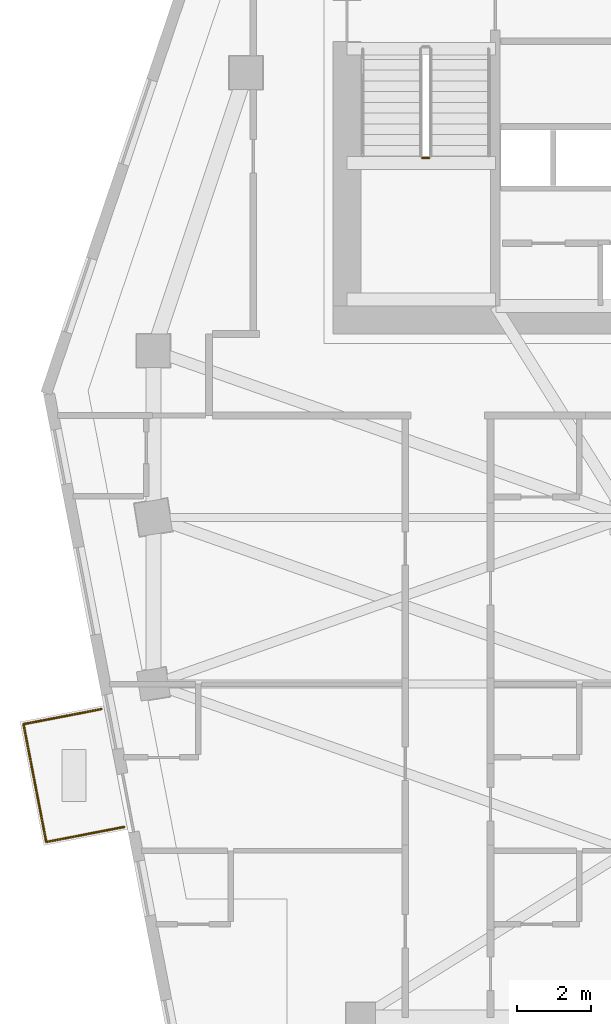
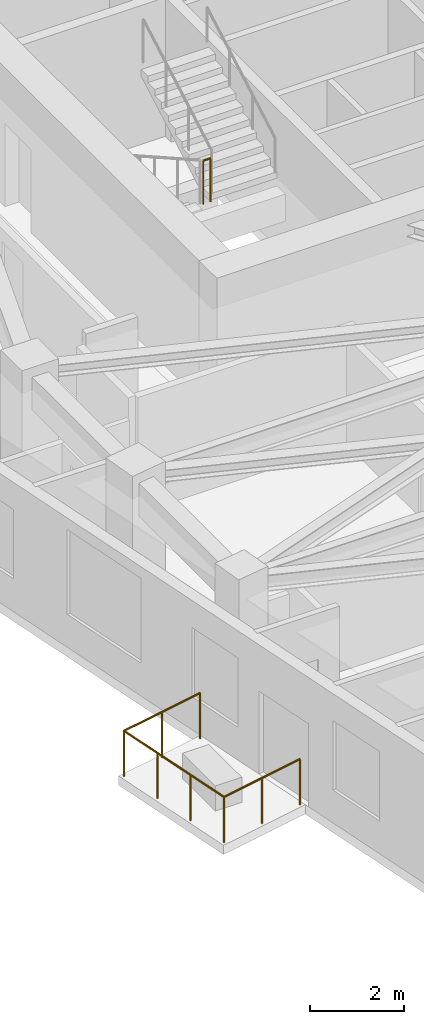
# One storey, part 10 of 12: 4 railings.
"""IFC4 building model written with IfcOpenShell, lengths in metres."""

from ifc_helpers import new_model, si_unit, direction, frame, origin, origin_2d, place, context, subcontext, project, spatial, circle, extrude, material, type_object, element, save


model = new_model("IFC4")

# Units and contexts
model_context = context("Model", 3, precision=1e-05, world=origin(), true_north=direction((0.0, 1.0)))
body_context = subcontext(model_context, "Body", "Model", "MODEL_VIEW")
ifc_project = project(units=[si_unit("LENGTHUNIT", "METRE"), si_unit("AREAUNIT", "SQUARE_METRE"), si_unit("VOLUMEUNIT", "CUBIC_METRE"), si_unit("PLANEANGLEUNIT", "RADIAN"), si_unit("MASSUNIT", "GRAM", prefix="KILO")], contexts=[model_context])

# Site, building, storey
site_placement = place(None, origin())
site = spatial("IfcSite", under=ifc_project, at=site_placement, CompositionType="ELEMENT")
building_placement = place(site_placement, origin())
building = spatial("IfcBuilding", under=site, at=building_placement, Name="Calvemar Wedge Station Tower", CompositionType="ELEMENT")
storey_placement = place(building_placement, frame((0.0, 0.0, 121.39990234375)))
storey = spatial("IfcBuildingStorey", under=building, at=storey_placement, Name="L29", CompositionType="ELEMENT", Elevation=121.39990234375)

# Railings
ifc_material_1 = material(Name="Stainless steel AISI 316L", Category="steel")
railing_type_1 = type_object("IfcRailingType", Name="GRD-TERR-1200", PredefinedType="GUARDRAIL", material=ifc_material_1)
railing_1_placement = place(storey_placement, frame((10.209228515625, 20.144287109375, 0.0)))
element("IfcRailing", 1, at=railing_1_placement, inside=storey, type_object=railing_type_1, Name="Storey L29 Spiral Terrace Guard 2", PredefinedType="GUARDRAIL", context=body_context, shape_type="SweptSolid", body=[
    extrude(circle(Radius=0.02392578125, at=origin_2d()), frame((0.0, 0.0, 1.17578125), z_axis=(-0.981875176811, -0.189528723845, 0.0), x_axis=(0.189528723845, -0.981875176811, 0.0)), (0.0, 0.0, 1.0), 2.1396484375),
    extrude(circle(Radius=0.02099609375, at=origin_2d()), origin(), (0.0, 0.0, 1.0), 1.15185546875),
    extrude(circle(Radius=0.02099609375, at=origin_2d()), frame((-1.05029296875, -0.20263671875, 0.0)), (0.0, 0.0, 1.0), 1.15185546875),
    extrude(circle(Radius=0.02099609375, at=origin_2d()), frame((-2.100830078125, -0.405517578125, 0.0)), (0.0, 0.0, 1.0), 1.15185546875),
])
railing_2_placement = place(storey_placement, frame((8.1083984375, 19.73876953125, 0.0)))
element("IfcRailing", 2, at=railing_2_placement, inside=storey, type_object=railing_type_1, Name="Storey L29 Spiral Terrace Guard 3", PredefinedType="GUARDRAIL", context=body_context, shape_type="SweptSolid", body=[
    extrude(circle(Radius=0.02392578125, at=origin_2d()), frame((0.0, 0.0, 1.17578125), z_axis=(-0.189750098435, 0.981832419583, 0.0), x_axis=(-0.981832419583, -0.189750098435, 0.0)), (0.0, 0.0, 1.0), 3.23974609375),
    extrude(circle(Radius=0.02099609375, at=origin_2d()), origin(), (0.0, 0.0, 1.0), 1.15185546875),
    extrude(circle(Radius=0.02099609375, at=origin_2d()), frame((-0.204833984375, 1.060302734375, 0.0)), (0.0, 0.0, 1.0), 1.15185546875),
    extrude(circle(Radius=0.02099609375, at=origin_2d()), frame((-0.409912109375, 2.12060546875, 0.0)), (0.0, 0.0, 1.0), 1.15185546875),
    extrude(circle(Radius=0.02099609375, at=origin_2d()), frame((-0.61474609375, 3.180908203125, 0.0)), (0.0, 0.0, 1.0), 1.15185546875),
])
railing_3_placement = place(storey_placement, frame((7.49365234375, 22.919677734375, 0.0)))
element("IfcRailing", 3, at=railing_3_placement, inside=storey, type_object=railing_type_1, Name="Storey L29 Spiral Terrace Guard 4", PredefinedType="GUARDRAIL", context=body_context, shape_type="SweptSolid", body=[
    extrude(circle(Radius=0.02392578125, at=origin_2d()), frame((0.0, 0.0, 1.17578125), z_axis=(0.981875176811, 0.189528723845, 0.0), x_axis=(-0.189528723845, 0.981875176811, 0.0)), (0.0, 0.0, 1.0), 2.1396484375),
    extrude(circle(Radius=0.02099609375, at=origin_2d()), origin(), (0.0, 0.0, 1.0), 1.15185546875),
    extrude(circle(Radius=0.02099609375, at=origin_2d()), frame((1.05029296875, 0.20263671875, 0.0)), (0.0, 0.0, 1.0), 1.15185546875),
    extrude(circle(Radius=0.02099609375, at=origin_2d()), frame((2.100830078125, 0.405517578125, 0.0)), (0.0, 0.0, 1.0), 1.15185546875),
])
ifc_material_2 = material(Name="Painted steel guardrail ASTM A500 Grade C", Category="steel")
railing_type_2 = type_object("IfcRailingType", Name="RL-STAIR-GUARD-1150", PredefinedType="GUARDRAIL", material=ifc_material_2)
railing_4_placement = place(storey_placement, frame((18.260009765625, 38.199951171875, 1.800048828125)))
element("IfcRailing", 4, at=railing_4_placement, inside=storey, type_object=railing_type_2, Name="L29 ST-C1 stair guard 2", PredefinedType="GUARDRAIL", context=body_context, shape_type="SweptSolid", body=[
    extrude(circle(Radius=0.02392578125, at=origin_2d()), frame((0.0, 0.0, 1.1259765625), z_axis=(1.0, 0.0, 0.0), x_axis=(0.0, 1.0, 0.0)), (0.0, 0.0, 1.0), 0.179931640625),
    extrude(circle(Radius=0.02099609375, at=origin_2d()), origin(), (0.0, 0.0, 1.0), 1.101806640625),
    extrude(circle(Radius=0.02099609375, at=origin_2d()), frame((0.179931640625, 0.0, 0.0)), (0.0, 0.0, 1.0), 1.101806640625),
])

save(model, "model.ifc")
